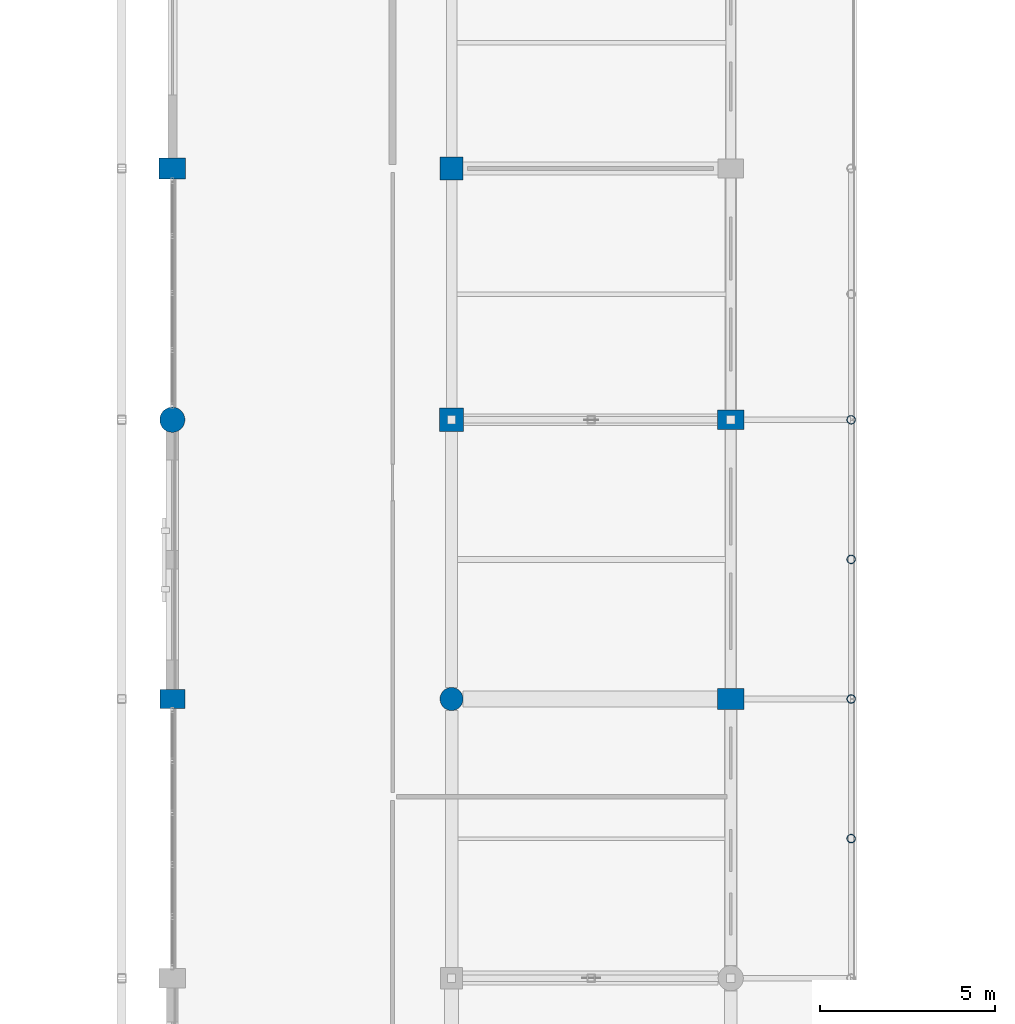
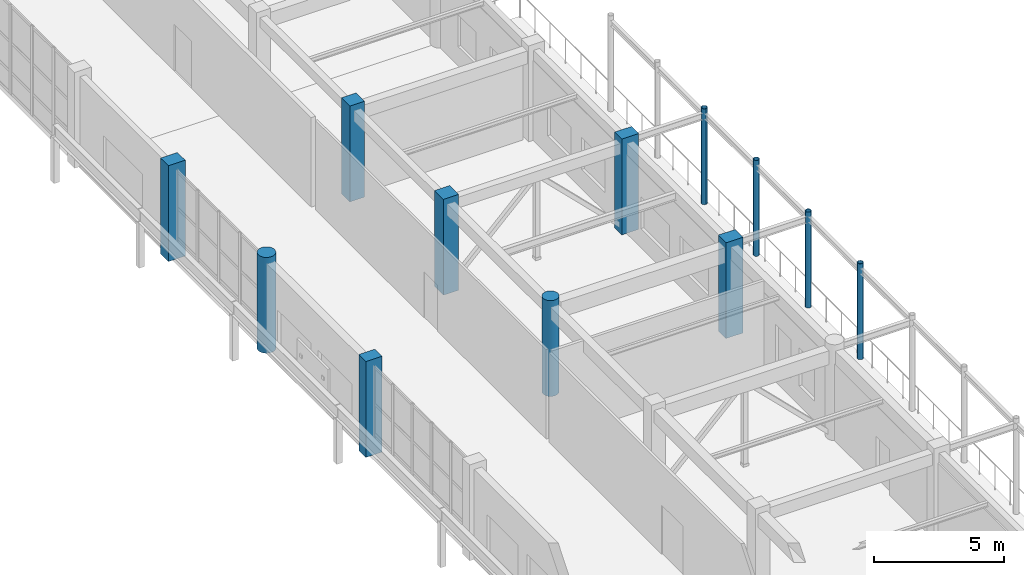
# One storey, part 16 of 160: 12 columns.
"""IFC4 building model written with IfcOpenShell, lengths in metres."""

import ifcopenshell
import ifcopenshell.guid

model = None  # the IFC model being written
_history = None  # IfcOwnerHistory: only IFC2X3 demands one
_inside = {}  # id of a spatial element -> (the spatial element, [elements in it])
_under = {}  # id of a project, library or spatial element -> (it, [spatial elements below it])
_declared = {}  # id of a project -> (the project, [libraries it declares])
_typed = {}  # id of a type object -> (the type object, [elements of that type])
_made_of = {}  # id of a material, layer set ... -> (it, [elements and type objects made of it])


def new_model(schema):
    """Start an empty IFC model of exactly this schema.

    Asked for "IFC4X3", IfcOpenShell would pick the latest addendum, in which some entities
    have other attributes; the version numbers below select the first issue.
    IFC2X3 requires an IfcOwnerHistory on every rooted entity: one is made here for all.
    """
    global model, _history
    if schema == "IFC4X3":
        model = ifcopenshell.file(schema_version=(4, 3, 0, 0))
    else:
        model = ifcopenshell.file(schema=schema)
    _inside.clear()
    _under.clear()
    _declared.clear()
    _typed.clear()
    _made_of.clear()
    _history = None
    if model.schema == "IFC2X3":
        org = make("IfcOrganization", Name="unknown")
        user = make(
            "IfcPersonAndOrganization",
            ThePerson=make("IfcPerson", FamilyName="unknown"),
            TheOrganization=org,
        )
        app = make(
            "IfcApplication",
            ApplicationDeveloper=org,
            Version="unknown",
            ApplicationFullName="unknown",
            ApplicationIdentifier="unknown",
        )
        _history = make(
            "IfcOwnerHistory",
            OwningUser=user,
            OwningApplication=app,
            ChangeAction="ADDED",
            CreationDate=0,
        )
    return model


def make(cls, **values):
    """One entity of the class cls with the attributes given. An attribute that is None is left unset."""
    return model.create_entity(
        cls, **{name: value for name, value in values.items() if value is not None}
    )


def rooted(cls, **values):
    """An entity with a GlobalId (a new one), such as an element, a storey or a relation."""
    return make(cls, GlobalId=ifcopenshell.guid.new(), OwnerHistory=_history, **values)


def si_unit(unit_type, name, prefix=None):
    """IfcSIUnit, for example si_unit("LENGTHUNIT", "METRE", prefix="MILLI")."""
    return make("IfcSIUnit", UnitType=unit_type, Prefix=prefix, Name=name)


def assignment(units):
    """IfcUnitAssignment: the units of a project."""
    return None if units is None else make("IfcUnitAssignment", Units=units)


def point(xyz):
    """IfcCartesianPoint."""
    return None if xyz is None else make("IfcCartesianPoint", Coordinates=xyz)


def direction(xyz):
    """IfcDirection."""
    return None if xyz is None else make("IfcDirection", DirectionRatios=xyz)


def frame(location, z_axis=None, x_axis=None):
    """IfcAxis2Placement3D, a coordinate frame: its origin and axes. An axis left out is left unset."""
    return make(
        "IfcAxis2Placement3D",
        Location=point(location),
        Axis=direction(z_axis),
        RefDirection=direction(x_axis),
    )


def frame_2d(location, x_axis=None):
    """IfcAxis2Placement2D, a coordinate frame in the plane: its origin and x axis."""
    return make(
        "IfcAxis2Placement2D", Location=point(location), RefDirection=direction(x_axis)
    )


def origin():
    """The frame at (0, 0, 0) with its axes left unset."""
    return frame((0.0, 0.0, 0.0))


def origin_2d():
    """The frame at (0, 0) in the plane with its x axis left unset."""
    return frame_2d((0.0, 0.0))


def place(relative_to, where):
    """IfcLocalPlacement: puts the frame where relative to a parent placement (None: the world)."""
    return make(
        "IfcLocalPlacement", PlacementRelTo=relative_to, RelativePlacement=where
    )


def context(
    kind, dimensions, precision=None, world=None, true_north=None, identifier=None
):
    """IfcGeometricRepresentationContext, for example the 3D "Model" context."""
    return make(
        "IfcGeometricRepresentationContext",
        ContextIdentifier=identifier,
        ContextType=kind,
        CoordinateSpaceDimension=dimensions,
        Precision=precision,
        WorldCoordinateSystem=world,
        TrueNorth=true_north,
    )


def subcontext(parent, identifier, kind, view, scale=None):
    """IfcGeometricRepresentationSubContext, for example "Body" below "Model"."""
    return make(
        "IfcGeometricRepresentationSubContext",
        ContextIdentifier=identifier,
        ContextType=kind,
        ParentContext=parent,
        TargetScale=scale,
        TargetView=view,
    )


def project(units=None, contexts=None):
    """IfcProject with its units and contexts."""
    return rooted(
        "IfcProject",
        Name="project",
        RepresentationContexts=contexts,
        UnitsInContext=assignment(units),
    )


def spatial(cls, under=None, at=None, **own):
    """A site, building, storey or space (cls), placed at a placement, below another one or the project."""
    s = rooted(cls, ObjectPlacement=at, **own)
    if under is not None:
        _under.setdefault(under.id(), (under, []))[1].append(s)
    return s


def profile(cls, at=None, kind="AREA", **sizes):
    """A parametric profile (cls). Its sizes go by their IFC names, for example OverallWidth=200.0."""
    return make(cls, ProfileType=kind, Position=at, **sizes)


def rectangle(**sizes):
    """IfcRectangleProfileDef."""
    return profile("IfcRectangleProfileDef", **sizes)


def circle(**sizes):
    """IfcCircleProfileDef."""
    return profile("IfcCircleProfileDef", **sizes)


def hollow_circle(**sizes):
    """IfcCircleHollowProfileDef."""
    return profile("IfcCircleHollowProfileDef", **sizes)


def extrude(swept, where, along, depth):
    """IfcExtrudedAreaSolid: the profile swept, set in the frame where, extruded along a direction by depth."""
    return make(
        "IfcExtrudedAreaSolid",
        SweptArea=swept,
        Position=where,
        ExtrudedDirection=direction(along),
        Depth=depth,
    )


def shape(context_of_items, identifier, shape_type, items):
    """IfcShapeRepresentation: the items that make up one representation, for example the "Body"."""
    return make(
        "IfcShapeRepresentation",
        ContextOfItems=context_of_items,
        RepresentationIdentifier=identifier,
        RepresentationType=shape_type,
        Items=items,
    )


def material(Name=None, Category=None):
    """IfcMaterial."""
    return make("IfcMaterial", Name=Name, Category=Category)


def material_profile(
    of_material, cross_section, Name=None, Category=None, Priority=None
):
    """IfcMaterialProfile: a cross section and its material."""
    return make(
        "IfcMaterialProfile",
        Name=Name,
        Material=of_material,
        Profile=cross_section,
        Priority=Priority,
        Category=Category,
    )


def profile_set(profiles, Name=None, composite=None):
    """IfcMaterialProfileSet."""
    return make(
        "IfcMaterialProfileSet",
        Name=Name,
        MaterialProfiles=profiles,
        CompositeProfile=composite,
    )


def made_of(thing, what):
    """Note that an element or type object is made of a material, layer set ...; save() writes the relation."""
    if what is not None:
        _made_of.setdefault(what.id(), (what, []))[1].append(thing)
    return thing


def type_object(cls, material=None, **own):
    """A type object (cls), such as IfcWallType, which elements share."""
    return made_of(rooted(cls, **own), material)


def element(
    cls,
    number,
    at=None,
    inside=None,
    cuts=None,
    type_object=None,
    material=None,
    context=None,
    identifier="Body",
    shape_type=None,
    held_by="IfcProductDefinitionShape",
    body=None,
    shapes=None,
    **own,
):
    """One element of the class cls, such as IfcWall. Its Tag is "e" and its number.

    at: its placement. inside: the storey or other place that contains it. cuts: it is an
    opening in that element (IfcRelVoidsElement). A single representation is given by context,
    identifier, shape_type and body (its items); several are given by shapes. held_by: the class
    of the entity that holds the representations. save() writes the other relations.
    """
    e = rooted(cls, Tag="e%d" % number, ObjectPlacement=at, **own)
    if body is not None:
        shapes = [shape(context, identifier, shape_type, body)]
    if shapes is not None:
        e.Representation = make(held_by, Representations=shapes)
    if inside is not None:
        _inside.setdefault(inside.id(), (inside, []))[1].append(e)
    if cuts is not None:
        rooted(
            "IfcRelVoidsElement", RelatingBuildingElement=cuts, RelatedOpeningElement=e
        )
    if type_object is not None:
        _typed.setdefault(type_object.id(), (type_object, []))[1].append(e)
    return made_of(e, material)


def aggregate(whole, parts):
    """IfcRelAggregates: a whole, such as a stair, and the parts it consists of."""
    return rooted("IfcRelAggregates", RelatingObject=whole, RelatedObjects=parts)


def save(model, path):
    """Write the relations noted so far, then the file.

    IfcRelAggregates (storeys below a building ...), IfcRelContainedInSpatialStructure (elements
    in a storey), IfcRelDefinesByType, IfcRelAssociatesMaterial and IfcRelDeclares: one each for
    every whole, place, type object, material and project.
    """
    for whole, parts in _under.values():
        aggregate(whole, parts)
    for where, things in _inside.values():
        rooted(
            "IfcRelContainedInSpatialStructure",
            RelatedElements=things,
            RelatingStructure=where,
        )
    for kind, things in _typed.values():
        rooted("IfcRelDefinesByType", RelatedObjects=things, RelatingType=kind)
    for what, things in _made_of.values():
        rooted("IfcRelAssociatesMaterial", RelatedObjects=things, RelatingMaterial=what)
    for by, libraries in _declared.values():
        rooted("IfcRelDeclares", RelatingContext=by, RelatedDefinitions=libraries)
    model.write(path)


model = new_model("IFC4")

# Units and contexts
model_context = context("Model", 3, precision=1e-05, world=origin(), true_north=direction((0.0, 1.0)))
body_context = subcontext(model_context, "Body", "Model", "MODEL_VIEW")
ifc_project = project(units=[si_unit("LENGTHUNIT", "METRE"), si_unit("AREAUNIT", "SQUARE_METRE"), si_unit("VOLUMEUNIT", "CUBIC_METRE"), si_unit("PLANEANGLEUNIT", "RADIAN"), si_unit("MASSUNIT", "GRAM", prefix="KILO")], contexts=[model_context])

# Site, building, storey
site_placement = place(None, origin())
site = spatial("IfcSite", under=ifc_project, at=site_placement, CompositionType="ELEMENT")
building_placement = place(site_placement, origin())
building = spatial("IfcBuilding", under=site, at=building_placement, Name="Kharva Crest Polytechnic", CompositionType="ELEMENT")
storey_placement = place(building_placement, frame((0.0, 0.0, 4.5)))
storey = spatial("IfcBuildingStorey", under=building, at=storey_placement, Name="L01", CompositionType="ELEMENT", Elevation=4.5)

# Columns
ifc_material_1 = material(Name="Concrete C40/50", Category="concrete")
ifc_material_profile_1 = material_profile(ifc_material_1, rectangle(XDim=0.719970703125, YDim=0.550048828125, at=origin_2d()), Name="RECT 720 X 550")
ifc_profile_set_1 = profile_set([ifc_material_profile_1], Name="Concrete C40/50")
column_type_1 = type_object("IfcColumnType", Name="COL-EXT-720X550", PredefinedType="COLUMN", material=ifc_profile_set_1)
column_1_placement = place(storey_placement, frame((32.0, 70.800048828125, 0.0), z_axis=(0.0, 0.0, 1.0), x_axis=(1.0, 0.0, 0.0)))
element("IfcColumn", 1, at=column_1_placement, inside=storey, type_object=column_type_1, Name="L01 Column 5/K", PredefinedType="COLUMN", context=body_context, shape_type="SweptSolid", body=[
    extrude(rectangle(XDim=0.719970703125, YDim=0.550048828125, at=origin_2d()), origin(), (0.0, 0.0, 1.0), 4.5),
])
ifc_material_profile_2 = material_profile(ifc_material_1, rectangle(XDim=0.75, YDim=0.550048828125, at=origin_2d()), Name="RECT 750 X 550")
ifc_profile_set_2 = profile_set([ifc_material_profile_2], Name="Concrete C40/50")
column_type_2 = type_object("IfcColumnType", Name="COL-EXT-750X550", PredefinedType="COLUMN", material=ifc_profile_set_2)
column_2_placement = place(storey_placement, frame((48.0, 78.800048828125, 0.0), z_axis=(0.0, 0.0, 1.0), x_axis=(1.0, 0.0, 0.0)))
element("IfcColumn", 2, at=column_2_placement, inside=storey, type_object=column_type_2, Name="L01 Column 7/L", PredefinedType="COLUMN", context=body_context, shape_type="SweptSolid", body=[
    extrude(rectangle(XDim=0.75, YDim=0.550048828125, at=origin_2d()), origin(), (0.0, 0.0, 1.0), 4.5),
])
ifc_material_profile_3 = material_profile(ifc_material_1, rectangle(XDim=0.75, YDim=0.60009765625, at=origin_2d()), Name="RECT 750 X 600")
ifc_profile_set_3 = profile_set([ifc_material_profile_3], Name="Concrete C40/50")
column_type_3 = type_object("IfcColumnType", Name="COL-EXT-750X600", PredefinedType="COLUMN", material=ifc_profile_set_3)
for number, where, z_axis, x_axis, name in (
    (3, (32.0, 86.0, 0.0), (0.0, 0.0, 1.0), (1.0, 0.0, 0.0), "L01 Column 5/M"),
    (4, (48.0, 70.800048828125, 0.0), (0.0, 0.0, 1.0), (1.0, 0.0, 0.0), "L01 Column 7/K"),
):
    element("IfcColumn", number, at=place(storey_placement, frame(where, z_axis=z_axis, x_axis=x_axis)), inside=storey, type_object=column_type_3, Name=name, PredefinedType="COLUMN", context=body_context, shape_type="SweptSolid", body=[
        extrude(rectangle(XDim=0.75, YDim=0.60009765625, at=origin_2d()), origin(), (0.0, 0.0, 1.0), 4.5),
    ])
ifc_material_profile_4 = material_profile(ifc_material_1, circle(Radius=0.360107421875, at=origin_2d()), Name="DIA 720")
ifc_profile_set_4 = profile_set([ifc_material_profile_4], Name="Concrete C40/50")
column_type_4 = type_object("IfcColumnType", Name="COL-EXT-DIA720", PredefinedType="COLUMN", material=ifc_profile_set_4)
column_3_placement = place(storey_placement, frame((32.0, 78.800048828125, 0.0), z_axis=(0.0, 0.0, 1.0), x_axis=(1.0, 0.0, 0.0)))
element("IfcColumn", 5, at=column_3_placement, inside=storey, type_object=column_type_4, Name="L01 Column 5/L", PredefinedType="COLUMN", context=body_context, shape_type="SweptSolid", body=[
    extrude(circle(Radius=0.360107421875, at=origin_2d()), origin(), (0.0, 0.0, 1.0), 4.5),
])
ifc_material_profile_5 = material_profile(ifc_material_1, rectangle(XDim=0.64990234375, YDim=0.64990234375, at=origin_2d()), Name="RECT 650 X 650")
ifc_profile_set_5 = profile_set([ifc_material_profile_5], Name="Concrete C40/50")
column_type_5 = type_object("IfcColumnType", Name="COL-INT-650X650", PredefinedType="COLUMN", material=ifc_profile_set_5)
column_4_placement = place(storey_placement, frame((40.0, 86.0, 0.0), z_axis=(0.0, 0.0, 1.0), x_axis=(1.0, 0.0, 0.0)))
element("IfcColumn", 6, at=column_4_placement, inside=storey, type_object=column_type_5, Name="L01 Column 6/M", PredefinedType="COLUMN", context=body_context, shape_type="SweptSolid", body=[
    extrude(rectangle(XDim=0.64990234375, YDim=0.64990234375, at=origin_2d()), origin(), (0.0, 0.0, 1.0), 4.5),
])
ifc_material_profile_6 = material_profile(ifc_material_1, rectangle(XDim=0.679931640625, YDim=0.679931640625, at=origin_2d()), Name="RECT 680 X 680")
ifc_profile_set_6 = profile_set([ifc_material_profile_6], Name="Concrete C40/50")
column_type_6 = type_object("IfcColumnType", Name="COL-INT-680X680", PredefinedType="COLUMN", material=ifc_profile_set_6)
column_5_placement = place(storey_placement, frame((40.0, 78.800048828125, 0.0), z_axis=(0.0, 0.0, 1.0), x_axis=(1.0, 0.0, 0.0)))
element("IfcColumn", 7, at=column_5_placement, inside=storey, type_object=column_type_6, Name="L01 Column 6/L", PredefinedType="COLUMN", context=body_context, shape_type="SweptSolid", body=[
    extrude(rectangle(XDim=0.679931640625, YDim=0.679931640625, at=origin_2d()), origin(), (0.0, 0.0, 1.0), 4.5),
])
ifc_material_profile_7 = material_profile(ifc_material_1, circle(Radius=0.330078125, at=origin_2d()), Name="DIA 660")
ifc_profile_set_7 = profile_set([ifc_material_profile_7], Name="Concrete C40/50")
column_type_7 = type_object("IfcColumnType", Name="COL-INT-DIA660", PredefinedType="COLUMN", material=ifc_profile_set_7)
column_6_placement = place(storey_placement, frame((40.0, 70.800048828125, 0.0), z_axis=(0.0, 0.0, 1.0), x_axis=(1.0, 0.0, 0.0)))
element("IfcColumn", 8, at=column_6_placement, inside=storey, type_object=column_type_7, Name="L01 Column 6/K", PredefinedType="COLUMN", context=body_context, shape_type="SweptSolid", body=[
    extrude(circle(Radius=0.330078125, at=origin_2d()), origin(), (0.0, 0.0, 1.0), 4.5),
])
ifc_material_2 = material(Name="Steel S355", Category="steel")
ifc_material_profile_8 = material_profile(ifc_material_2, hollow_circle(Radius=0.122314453125, WallThickness=0.010009765625, at=origin_2d()), Name="CHS 244.5X10.0")
ifc_profile_set_8 = profile_set([ifc_material_profile_8], Name="Steel S355")
column_type_8 = type_object("IfcColumnType", Name="COL-STL-CHS244", PredefinedType="COLUMN", material=ifc_profile_set_8)
for number, where, z_axis, x_axis, name in (
    (9, (51.449951171875, 70.800048828125, 0.0), (0.0, 0.0, 1.0), (1.0, 0.0, 0.0), "L01 Colonnade Column VW04"),
    (10, (51.449951171875, 78.800048828125, 0.0), (0.0, 0.0, 1.0), (1.0, 0.0, 0.0), "L01 Colonnade Column VW05"),
    (11, (51.449951171875, 66.800048828125, 0.0), (0.0, 0.0, 1.0), (1.0, 0.0, 0.0), "L01 Colonnade Mid Column VWM03"),
    (12, (51.449951171875, 74.800048828125, 0.0), (0.0, 0.0, 1.0), (1.0, 0.0, 0.0), "L01 Colonnade Mid Column VWM04"),
):
    element("IfcColumn", number, at=place(storey_placement, frame(where, z_axis=z_axis, x_axis=x_axis)), inside=storey, type_object=column_type_8, Name=name, PredefinedType="COLUMN", context=body_context, shape_type="SweptSolid", body=[
        extrude(hollow_circle(Radius=0.122314453125, WallThickness=0.010009765625, at=origin_2d()), origin(), (0.0, 0.0, 1.0), 4.5),
    ])

save(model, "model.ifc")
